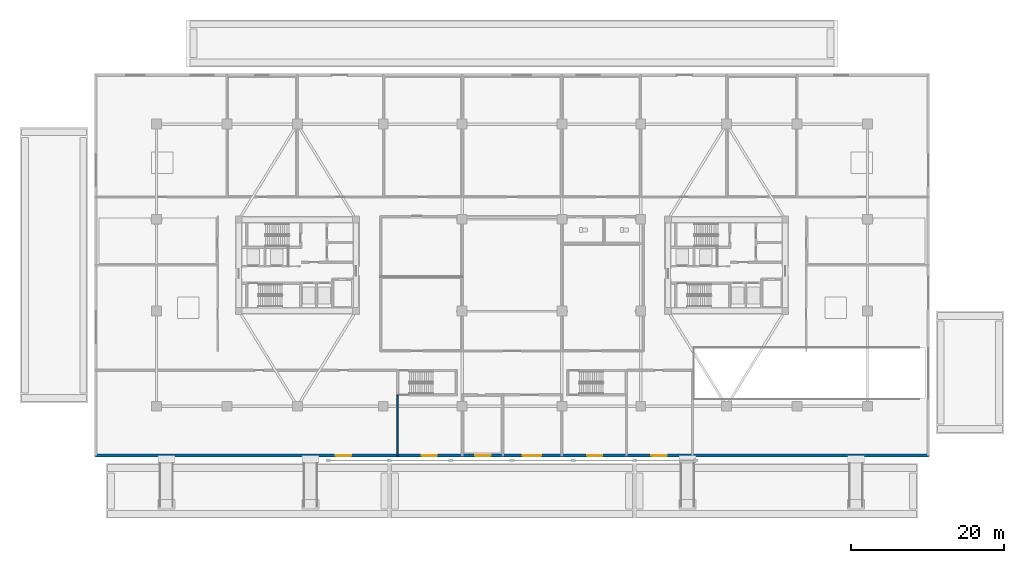
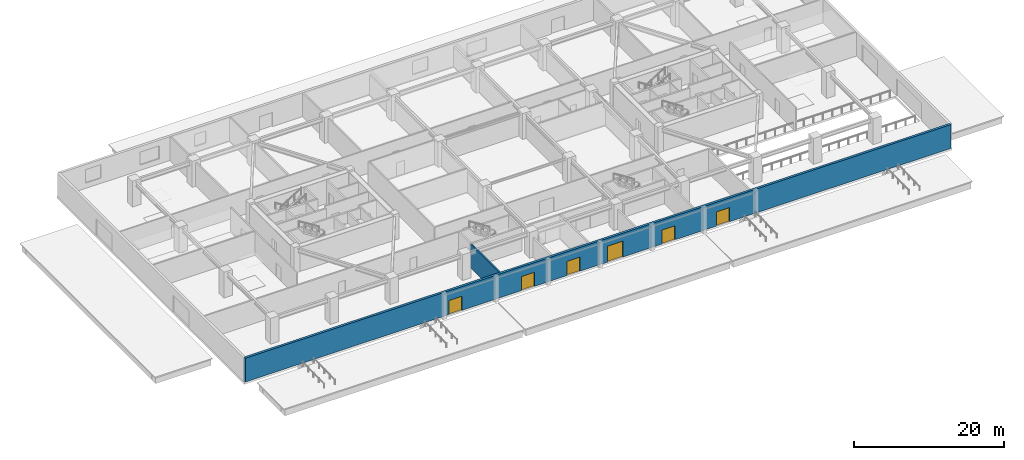
# One storey, part 4 of 22: 6 doors, 2 walls, 6 openings.
"""IFC4 building model written with IfcOpenShell, lengths in metres."""

import ifcopenshell
import ifcopenshell.guid

model = None  # the IFC model being written
_history = None  # IfcOwnerHistory: only IFC2X3 demands one
_inside = {}  # id of a spatial element -> (the spatial element, [elements in it])
_under = {}  # id of a project, library or spatial element -> (it, [spatial elements below it])
_declared = {}  # id of a project -> (the project, [libraries it declares])
_typed = {}  # id of a type object -> (the type object, [elements of that type])
_made_of = {}  # id of a material, layer set ... -> (it, [elements and type objects made of it])


def new_model(schema):
    """Start an empty IFC model of exactly this schema.

    Asked for "IFC4X3", IfcOpenShell would pick the latest addendum, in which some entities
    have other attributes; the version numbers below select the first issue.
    IFC2X3 requires an IfcOwnerHistory on every rooted entity: one is made here for all.
    """
    global model, _history
    if schema == "IFC4X3":
        model = ifcopenshell.file(schema_version=(4, 3, 0, 0))
    else:
        model = ifcopenshell.file(schema=schema)
    _inside.clear()
    _under.clear()
    _declared.clear()
    _typed.clear()
    _made_of.clear()
    _history = None
    if model.schema == "IFC2X3":
        org = make("IfcOrganization", Name="unknown")
        user = make(
            "IfcPersonAndOrganization",
            ThePerson=make("IfcPerson", FamilyName="unknown"),
            TheOrganization=org,
        )
        app = make(
            "IfcApplication",
            ApplicationDeveloper=org,
            Version="unknown",
            ApplicationFullName="unknown",
            ApplicationIdentifier="unknown",
        )
        _history = make(
            "IfcOwnerHistory",
            OwningUser=user,
            OwningApplication=app,
            ChangeAction="ADDED",
            CreationDate=0,
        )
    return model


def make(cls, **values):
    """One entity of the class cls with the attributes given. An attribute that is None is left unset."""
    return model.create_entity(
        cls, **{name: value for name, value in values.items() if value is not None}
    )


def rooted(cls, **values):
    """An entity with a GlobalId (a new one), such as an element, a storey or a relation."""
    return make(cls, GlobalId=ifcopenshell.guid.new(), OwnerHistory=_history, **values)


def si_unit(unit_type, name, prefix=None):
    """IfcSIUnit, for example si_unit("LENGTHUNIT", "METRE", prefix="MILLI")."""
    return make("IfcSIUnit", UnitType=unit_type, Prefix=prefix, Name=name)


def assignment(units):
    """IfcUnitAssignment: the units of a project."""
    return None if units is None else make("IfcUnitAssignment", Units=units)


def point(xyz):
    """IfcCartesianPoint."""
    return None if xyz is None else make("IfcCartesianPoint", Coordinates=xyz)


def direction(xyz):
    """IfcDirection."""
    return None if xyz is None else make("IfcDirection", DirectionRatios=xyz)


def frame(location, z_axis=None, x_axis=None):
    """IfcAxis2Placement3D, a coordinate frame: its origin and axes. An axis left out is left unset."""
    return make(
        "IfcAxis2Placement3D",
        Location=point(location),
        Axis=direction(z_axis),
        RefDirection=direction(x_axis),
    )


def frame_2d(location, x_axis=None):
    """IfcAxis2Placement2D, a coordinate frame in the plane: its origin and x axis."""
    return make(
        "IfcAxis2Placement2D", Location=point(location), RefDirection=direction(x_axis)
    )


def origin():
    """The frame at (0, 0, 0) with its axes left unset."""
    return frame((0.0, 0.0, 0.0))


def place(relative_to, where):
    """IfcLocalPlacement: puts the frame where relative to a parent placement (None: the world)."""
    return make(
        "IfcLocalPlacement", PlacementRelTo=relative_to, RelativePlacement=where
    )


def context(
    kind, dimensions, precision=None, world=None, true_north=None, identifier=None
):
    """IfcGeometricRepresentationContext, for example the 3D "Model" context."""
    return make(
        "IfcGeometricRepresentationContext",
        ContextIdentifier=identifier,
        ContextType=kind,
        CoordinateSpaceDimension=dimensions,
        Precision=precision,
        WorldCoordinateSystem=world,
        TrueNorth=true_north,
    )


def subcontext(parent, identifier, kind, view, scale=None):
    """IfcGeometricRepresentationSubContext, for example "Body" below "Model"."""
    return make(
        "IfcGeometricRepresentationSubContext",
        ContextIdentifier=identifier,
        ContextType=kind,
        ParentContext=parent,
        TargetScale=scale,
        TargetView=view,
    )


def project(units=None, contexts=None):
    """IfcProject with its units and contexts."""
    return rooted(
        "IfcProject",
        Name="project",
        RepresentationContexts=contexts,
        UnitsInContext=assignment(units),
    )


def spatial(cls, under=None, at=None, **own):
    """A site, building, storey or space (cls), placed at a placement, below another one or the project."""
    s = rooted(cls, ObjectPlacement=at, **own)
    if under is not None:
        _under.setdefault(under.id(), (under, []))[1].append(s)
    return s


def profile(cls, at=None, kind="AREA", **sizes):
    """A parametric profile (cls). Its sizes go by their IFC names, for example OverallWidth=200.0."""
    return make(cls, ProfileType=kind, Position=at, **sizes)


def rectangle(**sizes):
    """IfcRectangleProfileDef."""
    return profile("IfcRectangleProfileDef", **sizes)


def extrude(swept, where, along, depth):
    """IfcExtrudedAreaSolid: the profile swept, set in the frame where, extruded along a direction by depth."""
    return make(
        "IfcExtrudedAreaSolid",
        SweptArea=swept,
        Position=where,
        ExtrudedDirection=direction(along),
        Depth=depth,
    )


def shape(context_of_items, identifier, shape_type, items):
    """IfcShapeRepresentation: the items that make up one representation, for example the "Body"."""
    return make(
        "IfcShapeRepresentation",
        ContextOfItems=context_of_items,
        RepresentationIdentifier=identifier,
        RepresentationType=shape_type,
        Items=items,
    )


def source(mapping_origin, context_of_items, identifier, shape_type, items):
    """IfcRepresentationMap: a shape defined once, which mapped items show again and again."""
    return make(
        "IfcRepresentationMap",
        MappingOrigin=mapping_origin,
        MappedRepresentation=shape(context_of_items, identifier, shape_type, items),
    )


def transform(
    local_origin,
    x_axis=None,
    y_axis=None,
    z_axis=None,
    scale=None,
    scale2=None,
    scale3=None,
    uniform=True,
):
    """IfcCartesianTransformationOperator3D, or its non-uniform kind. x_axis, y_axis, z_axis: its Axis1, 2, 3."""
    if uniform:
        return make(
            "IfcCartesianTransformationOperator3D",
            Axis1=direction(x_axis),
            Axis2=direction(y_axis),
            LocalOrigin=point(local_origin),
            Scale=scale,
            Axis3=direction(z_axis),
        )
    return make(
        "IfcCartesianTransformationOperator3DnonUniform",
        Axis1=direction(x_axis),
        Axis2=direction(y_axis),
        LocalOrigin=point(local_origin),
        Scale=scale,
        Axis3=direction(z_axis),
        Scale2=scale2,
        Scale3=scale3,
    )


def mapped(mapping_source, mapping_target):
    """IfcMappedItem: shows the shape of a source again, moved by a transform."""
    return make(
        "IfcMappedItem", MappingSource=mapping_source, MappingTarget=mapping_target
    )


def material(Name=None, Category=None):
    """IfcMaterial."""
    return make("IfcMaterial", Name=Name, Category=Category)


def layer(
    of_material, thickness, ventilated=None, Name=None, Category=None, Priority=None
):
    """IfcMaterialLayer: one layer of a wall or slab, of a material (None: an air gap)."""
    return make(
        "IfcMaterialLayer",
        Material=of_material,
        LayerThickness=thickness,
        IsVentilated=ventilated,
        Name=Name,
        Category=Category,
        Priority=Priority,
    )


def layer_set(layers, Name=None):
    """IfcMaterialLayerSet."""
    return make("IfcMaterialLayerSet", MaterialLayers=layers, LayerSetName=Name)


def made_of(thing, what):
    """Note that an element or type object is made of a material, layer set ...; save() writes the relation."""
    if what is not None:
        _made_of.setdefault(what.id(), (what, []))[1].append(thing)
    return thing


def type_object(cls, material=None, **own):
    """A type object (cls), such as IfcWallType, which elements share."""
    return made_of(rooted(cls, **own), material)


def type_shapes(of_type, sources):
    """Give a type object the sources (RepresentationMaps) that its elements show as mapped items."""
    of_type.RepresentationMaps = sources


def element(
    cls,
    number,
    at=None,
    inside=None,
    cuts=None,
    type_object=None,
    material=None,
    context=None,
    identifier="Body",
    shape_type=None,
    held_by="IfcProductDefinitionShape",
    body=None,
    shapes=None,
    **own,
):
    """One element of the class cls, such as IfcWall. Its Tag is "e" and its number.

    at: its placement. inside: the storey or other place that contains it. cuts: it is an
    opening in that element (IfcRelVoidsElement). A single representation is given by context,
    identifier, shape_type and body (its items); several are given by shapes. held_by: the class
    of the entity that holds the representations. save() writes the other relations.
    """
    e = rooted(cls, Tag="e%d" % number, ObjectPlacement=at, **own)
    if body is not None:
        shapes = [shape(context, identifier, shape_type, body)]
    if shapes is not None:
        e.Representation = make(held_by, Representations=shapes)
    if inside is not None:
        _inside.setdefault(inside.id(), (inside, []))[1].append(e)
    if cuts is not None:
        rooted(
            "IfcRelVoidsElement", RelatingBuildingElement=cuts, RelatedOpeningElement=e
        )
    if type_object is not None:
        _typed.setdefault(type_object.id(), (type_object, []))[1].append(e)
    return made_of(e, material)


def fill(opening, filler):
    """IfcRelFillsElement: the door or window that sits in an opening."""
    return rooted(
        "IfcRelFillsElement",
        RelatingOpeningElement=opening,
        RelatedBuildingElement=filler,
    )


def aggregate(whole, parts):
    """IfcRelAggregates: a whole, such as a stair, and the parts it consists of."""
    return rooted("IfcRelAggregates", RelatingObject=whole, RelatedObjects=parts)


def save(model, path):
    """Write the relations noted so far, then the file.

    IfcRelAggregates (storeys below a building ...), IfcRelContainedInSpatialStructure (elements
    in a storey), IfcRelDefinesByType, IfcRelAssociatesMaterial and IfcRelDeclares: one each for
    every whole, place, type object, material and project.
    """
    for whole, parts in _under.values():
        aggregate(whole, parts)
    for where, things in _inside.values():
        rooted(
            "IfcRelContainedInSpatialStructure",
            RelatedElements=things,
            RelatingStructure=where,
        )
    for kind, things in _typed.values():
        rooted("IfcRelDefinesByType", RelatedObjects=things, RelatingType=kind)
    for what, things in _made_of.values():
        rooted("IfcRelAssociatesMaterial", RelatedObjects=things, RelatingMaterial=what)
    for by, libraries in _declared.values():
        rooted("IfcRelDeclares", RelatingContext=by, RelatedDefinitions=libraries)
    model.write(path)


model = new_model("IFC4")

# Units and contexts
model_context = context("Model", 3, precision=1e-05, world=origin(), true_north=direction((0.0, 1.0)))
body_context = subcontext(model_context, "Body", "Model", "MODEL_VIEW")
ifc_project = project(units=[si_unit("LENGTHUNIT", "METRE"), si_unit("AREAUNIT", "SQUARE_METRE"), si_unit("VOLUMEUNIT", "CUBIC_METRE"), si_unit("PLANEANGLEUNIT", "RADIAN"), si_unit("MASSUNIT", "GRAM", prefix="KILO")], contexts=[model_context])

# Site, building, storey
site_placement = place(None, origin())
site = spatial("IfcSite", under=ifc_project, at=site_placement, CompositionType="ELEMENT")
building_placement = place(site_placement, origin())
building = spatial("IfcBuilding", under=site, at=building_placement, Name="Norrkilde Senior Care Towers", CompositionType="ELEMENT")
storey_placement = place(building_placement, origin())
storey = spatial("IfcBuildingStorey", under=building, at=storey_placement, Name="L00", CompositionType="ELEMENT", Elevation=0.0)

# Wall, openings, doors
ifc_material_1 = material(Name="Precast concrete C45/55", Category="concrete")
ifc_layer_1 = layer(ifc_material_1, 0.360107421875)
ifc_layer_set_1 = layer_set([ifc_layer_1], Name="Precast concrete C45/55")
wall_type_1 = type_object("IfcWallType", Name="Podium Facade Wall 360", PredefinedType="SOLIDWALL", material=ifc_layer_set_1)
shared_shape_1 = source(origin(), body_context, "Body", "SweptSolid", [
    extrude(rectangle(XDim=108.64013671875, YDim=0.360107421875, at=frame_2d((54.320068359375, 0.0))), origin(), (0.0, 0.0, 1.0), 3.8798828125),
])
type_shapes(wall_type_1, [shared_shape_1])
wall_1_placement = place(storey_placement, frame((54.320068359375, -24.820068359375, 0.0), z_axis=(0.0, 0.0, 1.0), x_axis=(-1.0, 0.0, 0.0)))
wall_1 = element("IfcWall", 1, at=wall_1_placement, inside=storey, type_object=wall_type_1, Name="L00 Podium S Facade Wall", PredefinedType="SOLIDWALL", context=body_context, shape_type="MappedRepresentation", body=[
    mapped(shared_shape_1, transform((0.0, 0.0, 0.0), x_axis=(1.0, 0.0, 0.0), y_axis=(0.0, 1.0, 0.0), z_axis=(0.0, 0.0, 1.0), scale=1.0)),
])
opening_1_placement = place(wall_1_placement, frame((50.52001953125, 0.0, 0.0)))
opening_1 = element("IfcOpeningElement", 2, at=opening_1_placement, cuts=wall_1, Name="Opening D-01", PredefinedType="OPENING", context=body_context, shape_type="SweptSolid", body=[
    extrude(rectangle(XDim=2.39990234375, YDim=2.60009765625, at=frame_2d((1.199951171875, 1.300048828125))), frame((0.0, 0.18994140625, 0.0), z_axis=(0.0, -1.0, 0.0), x_axis=(1.0, 0.0, 0.0)), (0.0, 0.0, 1.0), 0.380126953125),
])
opening_2_placement = place(wall_1_placement, frame((57.1201171875, 0.0, 0.0)))
opening_2 = element("IfcOpeningElement", 3, at=opening_2_placement, cuts=wall_1, Name="Opening D-02", PredefinedType="OPENING", context=body_context, shape_type="SweptSolid", body=[
    extrude(rectangle(XDim=2.0, YDim=2.300048828125, at=frame_2d((1.0, 1.14990234375))), frame((0.0, 0.18994140625, 0.0), z_axis=(0.0, -1.0, 0.0), x_axis=(1.0, 0.0, 0.0)), (0.0, 0.0, 1.0), 0.380126953125),
])
opening_3_placement = place(wall_1_placement, frame((42.52001953125, 0.0, 0.0)))
opening_3 = element("IfcOpeningElement", 4, at=opening_3_placement, cuts=wall_1, Name="Opening D-02", PredefinedType="OPENING", context=body_context, shape_type="SweptSolid", body=[
    extrude(rectangle(XDim=2.0, YDim=2.300048828125, at=frame_2d((1.0, 1.14990234375))), frame((0.0, 0.18994140625, 0.0), z_axis=(0.0, -1.0, 0.0), x_axis=(1.0, 0.0, 0.0)), (0.0, 0.0, 1.0), 0.380126953125),
])
opening_4_placement = place(wall_1_placement, frame((64.1201171875, 0.0, 0.0)))
opening_4 = element("IfcOpeningElement", 5, at=opening_4_placement, cuts=wall_1, Name="Opening D-02", PredefinedType="OPENING", context=body_context, shape_type="SweptSolid", body=[
    extrude(rectangle(XDim=2.0, YDim=2.300048828125, at=frame_2d((1.0, 1.14990234375))), frame((0.0, 0.18994140625, 0.0), z_axis=(0.0, -1.0, 0.0), x_axis=(1.0, 0.0, 0.0)), (0.0, 0.0, 1.0), 0.380126953125),
])
opening_5_placement = place(wall_1_placement, frame((75.320068359375, 0.0, 0.0)))
opening_5 = element("IfcOpeningElement", 6, at=opening_5_placement, cuts=wall_1, Name="Opening D-02", PredefinedType="OPENING", context=body_context, shape_type="SweptSolid", body=[
    extrude(rectangle(XDim=2.0, YDim=2.300048828125, at=frame_2d((1.0, 1.14990234375))), frame((0.0, 0.18994140625, 0.0), z_axis=(0.0, -1.0, 0.0), x_axis=(1.0, 0.0, 0.0)), (0.0, 0.0, 1.0), 0.380126953125),
])
opening_6_placement = place(wall_1_placement, frame((34.1201171875, 0.0, 0.0)))
opening_6 = element("IfcOpeningElement", 7, at=opening_6_placement, cuts=wall_1, Name="Opening D-02", PredefinedType="OPENING", context=body_context, shape_type="SweptSolid", body=[
    extrude(rectangle(XDim=2.0, YDim=2.300048828125, at=frame_2d((1.0, 1.14990234375))), frame((0.0, 0.18994140625, 0.0), z_axis=(0.0, -1.0, 0.0), x_axis=(1.0, 0.0, 0.0)), (0.0, 0.0, 1.0), 0.380126953125),
])
ifc_material_2 = material(Name="Anodised Aluminium", Category="aluminium")
door_type_1 = type_object("IfcDoorType", Name="Main Entrance Double Glazed Door 2400x2600", OperationType="NOTDEFINED", PredefinedType="DOOR", material=ifc_material_2)
shared_shape_2 = source(origin(), body_context, "Body", "SweptSolid", [
    extrude(rectangle(XDim=2.39990234375, YDim=2.60009765625, at=frame_2d((1.199951171875, 1.300048828125))), frame((0.0, 0.02490234375, 0.0), z_axis=(0.0, -1.0, 0.0), x_axis=(1.0, 0.0, 0.0)), (0.0, 0.0, 1.0), 0.050048828125),
])
type_shapes(door_type_1, [shared_shape_2])
door_1_placement = place(opening_1_placement, origin())
door_1 = element("IfcDoor", 8, at=door_1_placement, inside=storey, type_object=door_type_1, Name="L00 Main Concourse Entrance Door", OperationType="DOUBLE_DOOR_SINGLE_SWING", OverallHeight=2.60009765625, OverallWidth=2.39990234375, PredefinedType="DOOR", context=body_context, shape_type="MappedRepresentation", body=[
    mapped(shared_shape_2, transform((0.0, 0.0, 0.0), x_axis=(1.0, 0.0, 0.0), y_axis=(0.0, 1.0, 0.0), z_axis=(0.0, 0.0, 1.0), scale=1.0)),
])
fill(opening_1, door_1)
ifc_material_3 = material(Name="Galvanised Painted Steel", Category="steel")
door_type_2 = type_object("IfcDoorType", Name="Final Exit Discharge Double Door 2000x2300", OperationType="NOTDEFINED", PredefinedType="DOOR", material=ifc_material_3)
shared_shape_3 = source(origin(), body_context, "Body", "SweptSolid", [
    extrude(rectangle(XDim=2.0, YDim=2.300048828125, at=frame_2d((1.0, 1.14990234375))), frame((0.0, 0.02490234375, 0.0), z_axis=(0.0, -1.0, 0.0), x_axis=(1.0, 0.0, 0.0)), (0.0, 0.0, 1.0), 0.050048828125),
])
type_shapes(door_type_2, [shared_shape_3])
door_2_placement = place(opening_2_placement, origin())
door_2 = element("IfcDoor", 9, at=door_2_placement, inside=storey, type_object=door_type_2, Name="L00 Fire Command Direct Exterior Exit Door", OperationType="DOUBLE_DOOR_SINGLE_SWING", OverallHeight=2.300048828125, OverallWidth=2.0, PredefinedType="DOOR", context=body_context, shape_type="MappedRepresentation", body=[
    mapped(shared_shape_3, transform((0.0, 0.0, 0.0), x_axis=(1.0, 0.0, 0.0), y_axis=(0.0, 1.0, 0.0), z_axis=(0.0, 0.0, 1.0), scale=1.0)),
])
fill(opening_2, door_2)
door_3_placement = place(opening_3_placement, origin())
door_3 = element("IfcDoor", 10, at=door_3_placement, inside=storey, type_object=door_type_2, Name="L00 Protected Final Exit Door EP2", OperationType="DOUBLE_DOOR_SINGLE_SWING", OverallHeight=2.300048828125, OverallWidth=2.0, PredefinedType="DOOR", context=body_context, shape_type="MappedRepresentation", body=[
    mapped(shared_shape_3, transform((0.0, 0.0, 0.0), x_axis=(1.0, 0.0, 0.0), y_axis=(0.0, 1.0, 0.0), z_axis=(0.0, 0.0, 1.0), scale=1.0)),
])
fill(opening_3, door_3)
door_4_placement = place(opening_4_placement, origin())
door_4 = element("IfcDoor", 11, at=door_4_placement, inside=storey, type_object=door_type_2, Name="L00 Protected Final Exit Door EP1", OperationType="DOUBLE_DOOR_SINGLE_SWING", OverallHeight=2.300048828125, OverallWidth=2.0, PredefinedType="DOOR", context=body_context, shape_type="MappedRepresentation", body=[
    mapped(shared_shape_3, transform((0.0, 0.0, 0.0), x_axis=(1.0, 0.0, 0.0), y_axis=(0.0, 1.0, 0.0), z_axis=(0.0, 0.0, 1.0), scale=1.0)),
])
fill(opening_4, door_4)
door_5_placement = place(opening_5_placement, origin())
door_5 = element("IfcDoor", 12, at=door_5_placement, inside=storey, type_object=door_type_2, Name="L00 Protected Final Exit Door WEST", OperationType="DOUBLE_DOOR_SINGLE_SWING", OverallHeight=2.300048828125, OverallWidth=2.0, PredefinedType="DOOR", context=body_context, shape_type="MappedRepresentation", body=[
    mapped(shared_shape_3, transform((0.0, 0.0, 0.0), x_axis=(1.0, 0.0, 0.0), y_axis=(0.0, 1.0, 0.0), z_axis=(0.0, 0.0, 1.0), scale=1.0)),
])
fill(opening_5, door_5)
door_6_placement = place(opening_6_placement, origin())
door_6 = element("IfcDoor", 13, at=door_6_placement, inside=storey, type_object=door_type_2, Name="L00 Protected Final Exit Door EAST", OperationType="DOUBLE_DOOR_SINGLE_SWING", OverallHeight=2.300048828125, OverallWidth=2.0, PredefinedType="DOOR", context=body_context, shape_type="MappedRepresentation", body=[
    mapped(shared_shape_3, transform((0.0, 0.0, 0.0), x_axis=(1.0, 0.0, 0.0), y_axis=(0.0, 1.0, 0.0), z_axis=(0.0, 0.0, 1.0), scale=1.0)),
])
fill(opening_6, door_6)

# Wall
ifc_material_4 = material(Name="Concrete C45/55", Category="concrete")
ifc_layer_2 = layer(ifc_material_4, 0.2099609375)
ifc_layer_set_2 = layer_set([ifc_layer_2], Name="Concrete C45/55")
wall_type_2 = type_object("IfcWallType", Name="Firefighting Lobby Wall 210", PredefinedType="PARTITIONING", material=ifc_layer_set_2)
shared_shape_4 = source(origin(), body_context, "Body", "SweptSolid", [
    extrude(rectangle(XDim=7.97998046875, YDim=0.2099609375, at=frame_2d((3.989990234375, 0.0))), origin(), (0.0, 0.0, 1.0), 3.864990234375),
])
type_shapes(wall_type_2, [shared_shape_4])
wall_2_placement = place(storey_placement, frame((-14.919921875, -24.89990234375, 0.0), z_axis=(0.0, 0.0, 1.0), x_axis=(0.0, 1.0, 0.0)))
element("IfcWall", 14, at=wall_2_placement, inside=storey, type_object=wall_type_2, Name="WL-INT-L00-EP1W", PredefinedType="PARTITIONING", context=body_context, shape_type="MappedRepresentation", body=[
    mapped(shared_shape_4, transform((0.0, 0.0, 0.0), x_axis=(1.0, 0.0, 0.0), y_axis=(0.0, 1.0, 0.0), z_axis=(0.0, 0.0, 1.0), scale=1.0)),
])

save(model, "model.ifc")
